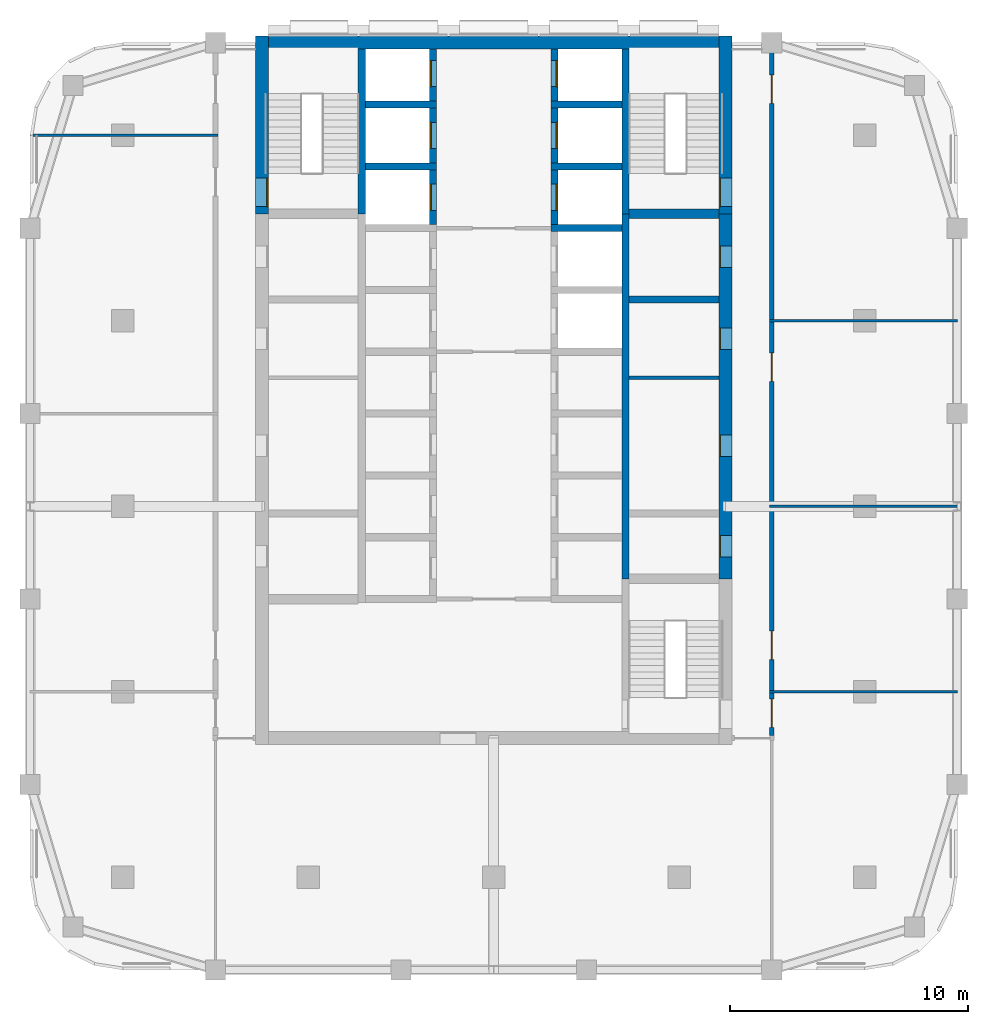
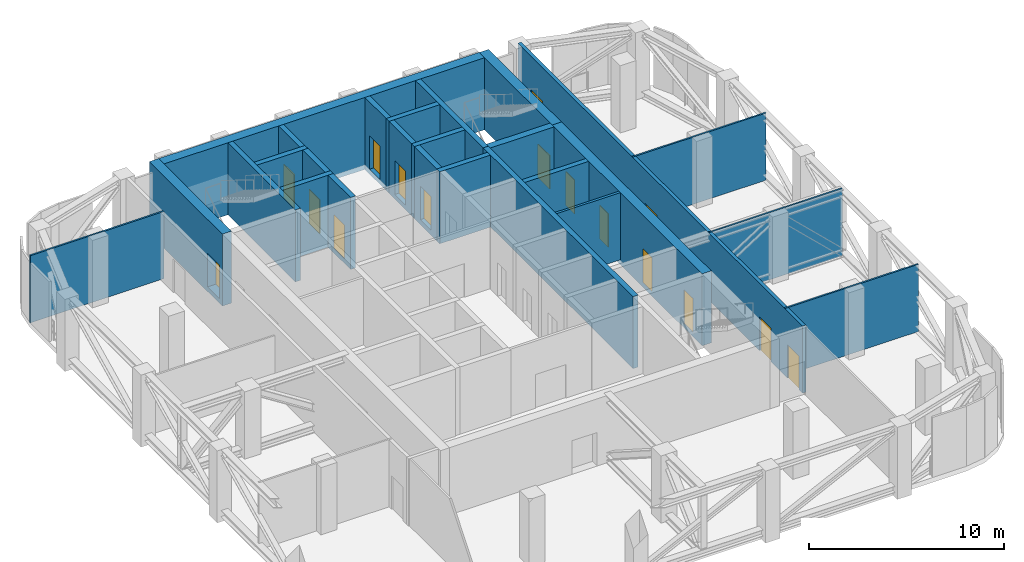
# One storey, part 6 of 11: 26 walls, 16 doors, 16 openings.
"""IFC4 building model written with IfcOpenShell, lengths in metres."""

from ifc_helpers import new_model, si_unit, direction, frame, frame_2d, origin, place, context, subcontext, project, spatial, rectangle, extrude, material, layer, layer_set, type_object, element, fill, save


model = new_model("IFC4")

# Units and contexts
model_context = context("Model", 3, precision=1e-05, world=origin(), true_north=direction((0.0, 1.0)))
body_context = subcontext(model_context, "Body", "Model", "MODEL_VIEW")
ifc_project = project(units=[si_unit("LENGTHUNIT", "METRE"), si_unit("AREAUNIT", "SQUARE_METRE"), si_unit("VOLUMEUNIT", "CUBIC_METRE"), si_unit("PLANEANGLEUNIT", "RADIAN"), si_unit("MASSUNIT", "GRAM", prefix="KILO")], contexts=[model_context])

# Site, building, storey
site_placement = place(None, origin())
site = spatial("IfcSite", under=ifc_project, at=site_placement, CompositionType="ELEMENT")
building_placement = place(site_placement, origin())
building = spatial("IfcBuilding", under=site, at=building_placement, Name="Ludao Terraces", CompositionType="ELEMENT")
storey_placement = place(building_placement, frame((0.0, 0.0, 144.10009765625)))
storey = spatial("IfcBuildingStorey", under=building, at=storey_placement, Name="L39", CompositionType="ELEMENT", Elevation=144.10009765625)

# Wall, opening, door
ifc_material_1 = material(Name="Concrete C60", Category="concrete")
ifc_layer_1 = layer(ifc_material_1, 0.550048828125)
ifc_layer_set_1 = layer_set([ifc_layer_1], Name="Core wall 550 C60")
wall_type_1 = type_object("IfcWallType", Name="Core wall 550 C60", PredefinedType="SOLIDWALL", material=ifc_layer_set_1)
wall_1_placement = place(storey_placement, frame((75.25, 77.300048828125, -0.300048828125), z_axis=(0.0, 0.0, 1.0), x_axis=(0.0, 1.0, 0.0)))
wall_1 = element("IfcWall", 1, at=wall_1_placement, inside=storey, type_object=wall_type_1, Name="Core wall L39 outer-W-S1", PredefinedType="SOLIDWALL", context=body_context, shape_type="SweptSolid", body=[
    extrude(rectangle(XDim=7.474853515625, YDim=0.550048828125, at=frame_2d((3.7373046875, 0.0))), origin(), (0.0, 0.0, 1.0), 4.5),
])
opening_1_placement = place(wall_1_placement, frame((0.300048828125, 0.0, 0.300048828125)))
opening_1 = element("IfcOpeningElement", 2, at=opening_1_placement, cuts=wall_1, Name="Opening L39-036", PredefinedType="OPENING", context=body_context, shape_type="SweptSolid", body=[
    extrude(rectangle(XDim=1.199951171875, YDim=2.10009765625, at=frame_2d((0.60009765625, 1.050048828125))), frame((0.0, 0.28515625, 0.0), z_axis=(0.0, -1.0, 0.0), x_axis=(1.0, 0.0, 0.0)), (0.0, 0.0, 1.0), 0.570068359375),
])
ifc_material_2 = material(Name="Steel Q235", Category="steel")
door_type_1 = type_object("IfcDoorType", Name="INT Stair door 1200", OperationType="DOUBLE_DOOR_SINGLE_SWING", PredefinedType="DOOR", material=ifc_material_2)
door_1_placement = place(opening_1_placement, origin())
door_1 = element("IfcDoor", 3, at=door_1_placement, inside=storey, type_object=door_type_1, Name="DOOR 036", OperationType="DOUBLE_DOOR_SINGLE_SWING", OverallHeight=2.10009765625, OverallWidth=1.199951171875, PredefinedType="DOOR", context=body_context, shape_type="SweptSolid", body=[
    extrude(rectangle(XDim=1.199951171875, YDim=2.10009765625, at=frame_2d((0.60009765625, 1.050048828125))), frame((0.0, -0.2099609375, 0.0), z_axis=(0.0, -1.0, 0.0), x_axis=(1.0, 0.0, 0.0)), (0.0, 0.0, 1.0), 0.050048828125),
])
fill(opening_1, door_1)

# Wall, openings, doors
wall_2_placement = place(storey_placement, frame((94.75, 61.949951171875, -0.300048828125), z_axis=(0.0, 0.0, 1.0), x_axis=(0.0, 1.0, 0.0)))
wall_2 = element("IfcWall", 4, at=wall_2_placement, inside=storey, type_object=wall_type_1, Name="Core wall L39 outer-E", PredefinedType="SOLIDWALL", context=body_context, shape_type="SweptSolid", body=[
    extrude(rectangle(XDim=15.35009765625, YDim=0.550048828125, at=frame_2d((7.675048828125, 0.0))), origin(), (0.0, 0.0, 1.0), 4.5),
])
opening_2_placement = place(wall_2_placement, frame((0.925048828125, 0.0, 0.300048828125)))
opening_2 = element("IfcOpeningElement", 5, at=opening_2_placement, cuts=wall_2, Name="Opening L39-014", PredefinedType="OPENING", context=body_context, shape_type="SweptSolid", body=[
    extrude(rectangle(XDim=0.89990234375, YDim=2.10009765625, at=frame_2d((0.449951171875, 1.050048828125))), frame((0.0, 0.28515625, 0.0), z_axis=(0.0, -1.0, 0.0), x_axis=(1.0, 0.0, 0.0)), (0.0, 0.0, 1.0), 0.570068359375),
])
opening_3_placement = place(wall_2_placement, frame((5.14990234375, 0.0, 0.300048828125)))
opening_3 = element("IfcOpeningElement", 6, at=opening_3_placement, cuts=wall_2, Name="Opening L39-018", PredefinedType="OPENING", context=body_context, shape_type="SweptSolid", body=[
    extrude(rectangle(XDim=0.89990234375, YDim=2.10009765625, at=frame_2d((0.449951171875, 1.050048828125))), frame((0.0, 0.28515625, 0.0), z_axis=(0.0, -1.0, 0.0), x_axis=(1.0, 0.0, 0.0)), (0.0, 0.0, 1.0), 0.570068359375),
])
opening_4_placement = place(wall_2_placement, frame((9.64990234375, 0.0, 0.300048828125)))
opening_4 = element("IfcOpeningElement", 7, at=opening_4_placement, cuts=wall_2, Name="Opening L39-026", PredefinedType="OPENING", context=body_context, shape_type="SweptSolid", body=[
    extrude(rectangle(XDim=0.89990234375, YDim=2.10009765625, at=frame_2d((0.449951171875, 1.050048828125))), frame((0.0, 0.28515625, 0.0), z_axis=(0.0, -1.0, 0.0), x_axis=(1.0, 0.0, 0.0)), (0.0, 0.0, 1.0), 0.570068359375),
])
opening_5_placement = place(wall_2_placement, frame((13.10009765625, 0.0, 0.300048828125)))
opening_5 = element("IfcOpeningElement", 8, at=opening_5_placement, cuts=wall_2, Name="Opening L39-032", PredefinedType="OPENING", context=body_context, shape_type="SweptSolid", body=[
    extrude(rectangle(XDim=0.89990234375, YDim=2.10009765625, at=frame_2d((0.449951171875, 1.050048828125))), frame((0.0, 0.28515625, 0.0), z_axis=(0.0, -1.0, 0.0), x_axis=(1.0, 0.0, 0.0)), (0.0, 0.0, 1.0), 0.570068359375),
])
door_type_2 = type_object("IfcDoorType", Name="INT Riser door 900", OperationType="SINGLE_SWING_LEFT", PredefinedType="DOOR", material=ifc_material_2)
door_2_placement = place(opening_2_placement, origin())
door_2 = element("IfcDoor", 9, at=door_2_placement, inside=storey, type_object=door_type_2, Name="DOOR 014", OperationType="SINGLE_SWING_LEFT", OverallHeight=2.10009765625, OverallWidth=0.89990234375, PredefinedType="DOOR", context=body_context, shape_type="SweptSolid", body=[
    extrude(rectangle(XDim=0.89990234375, YDim=2.10009765625, at=frame_2d((0.449951171875, 1.050048828125))), frame((0.0, 0.26025390625, 0.0), z_axis=(0.0, -1.0, 0.0), x_axis=(1.0, 0.0, 0.0)), (0.0, 0.0, 1.0), 0.050048828125),
])
fill(opening_2, door_2)
door_3_placement = place(opening_5_placement, origin())
door_3 = element("IfcDoor", 10, at=door_3_placement, inside=storey, type_object=door_type_2, Name="DOOR 032", OperationType="SINGLE_SWING_RIGHT", OverallHeight=2.10009765625, OverallWidth=0.89990234375, PredefinedType="DOOR", context=body_context, shape_type="SweptSolid", body=[
    extrude(rectangle(XDim=0.89990234375, YDim=2.10009765625, at=frame_2d((0.449951171875, 1.050048828125))), frame((0.0, 0.26025390625, 0.0), z_axis=(0.0, -1.0, 0.0), x_axis=(1.0, 0.0, 0.0)), (0.0, 0.0, 1.0), 0.050048828125),
])
fill(opening_5, door_3)
ifc_material_3 = material(Name="Timber door leaf", Category="wood")
door_type_3 = type_object("IfcDoorType", Name="INT Room door 900", OperationType="SINGLE_SWING_LEFT", PredefinedType="DOOR", material=ifc_material_3)
door_4_placement = place(opening_3_placement, origin())
door_4 = element("IfcDoor", 11, at=door_4_placement, inside=storey, type_object=door_type_3, Name="DOOR 018", OperationType="SINGLE_SWING_LEFT", OverallHeight=2.10009765625, OverallWidth=0.89990234375, PredefinedType="DOOR", context=body_context, shape_type="SweptSolid", body=[
    extrude(rectangle(XDim=0.89990234375, YDim=2.10009765625, at=frame_2d((0.449951171875, 1.050048828125))), frame((0.0, 0.26025390625, 0.0), z_axis=(0.0, -1.0, 0.0), x_axis=(1.0, 0.0, 0.0)), (0.0, 0.0, 1.0), 0.050048828125),
])
fill(opening_3, door_4)
door_5_placement = place(opening_4_placement, origin())
door_5 = element("IfcDoor", 12, at=door_5_placement, inside=storey, type_object=door_type_3, Name="DOOR 026", OperationType="SINGLE_SWING_RIGHT", OverallHeight=2.10009765625, OverallWidth=0.89990234375, PredefinedType="DOOR", context=body_context, shape_type="SweptSolid", body=[
    extrude(rectangle(XDim=0.89990234375, YDim=2.10009765625, at=frame_2d((0.449951171875, 1.050048828125))), frame((0.0, 0.26025390625, 0.0), z_axis=(0.0, -1.0, 0.0), x_axis=(1.0, 0.0, 0.0)), (0.0, 0.0, 1.0), 0.050048828125),
])
fill(opening_4, door_5)

# Wall, opening, door
wall_3_placement = place(storey_placement, frame((94.75, 77.300048828125, -0.300048828125), z_axis=(0.0, 0.0, 1.0), x_axis=(0.0, 1.0, 0.0)))
wall_3 = element("IfcWall", 13, at=wall_3_placement, inside=storey, type_object=wall_type_1, Name="Core wall L39 outer-E-S2", PredefinedType="SOLIDWALL", context=body_context, shape_type="SweptSolid", body=[
    extrude(rectangle(XDim=7.474853515625, YDim=0.550048828125, at=frame_2d((3.7373046875, 0.0))), origin(), (0.0, 0.0, 1.0), 4.5),
])
opening_6_placement = place(wall_3_placement, frame((0.300048828125, 0.0, 0.300048828125)))
opening_6 = element("IfcOpeningElement", 14, at=opening_6_placement, cuts=wall_3, Name="Opening L39-037", PredefinedType="OPENING", context=body_context, shape_type="SweptSolid", body=[
    extrude(rectangle(XDim=1.199951171875, YDim=2.10009765625, at=frame_2d((0.60009765625, 1.050048828125))), frame((0.0, 0.28515625, 0.0), z_axis=(0.0, -1.0, 0.0), x_axis=(1.0, 0.0, 0.0)), (0.0, 0.0, 1.0), 0.570068359375),
])
door_6_placement = place(opening_6_placement, origin())
door_6 = element("IfcDoor", 15, at=door_6_placement, inside=storey, type_object=door_type_1, Name="DOOR 037", OperationType="DOUBLE_DOOR_SINGLE_SWING", OverallHeight=2.10009765625, OverallWidth=1.199951171875, PredefinedType="DOOR", context=body_context, shape_type="SweptSolid", body=[
    extrude(rectangle(XDim=1.199951171875, YDim=2.10009765625, at=frame_2d((0.60009765625, 1.050048828125))), frame((0.0, 0.26025390625, 0.0), z_axis=(0.0, -1.0, 0.0), x_axis=(1.0, 0.0, 0.0)), (0.0, 0.0, 1.0), 0.050048828125),
])
fill(opening_6, door_6)

# Walls
wall_4_placement = place(storey_placement, frame((75.52490234375, 84.5, -0.300048828125), z_axis=(0.0, 0.0, 1.0), x_axis=(1.0, 0.0, 0.0)))
element("IfcWall", 16, at=wall_4_placement, inside=storey, type_object=wall_type_1, Name="Core wall L39 outer-N", PredefinedType="SOLIDWALL", context=body_context, shape_type="SweptSolid", body=[
    extrude(rectangle(XDim=18.9501953125, YDim=0.550048828125, at=frame_2d((9.47509765625, 0.0))), origin(), (0.0, 0.0, 1.0), 4.5),
])
ifc_material_4 = material(Name="Fire-rated gypsum plasterboard", Category="gypsum")
ifc_layer_2 = layer(ifc_material_4, 0.012451171875, Category="gypsum")
ifc_material_5 = material(Name="Mineral wool")
ifc_layer_3 = layer(ifc_material_5, 0.10009765625, Name="insulation")
ifc_layer_4 = layer(ifc_material_2, 0.02490234375, Name="stud")
ifc_layer_5 = layer(ifc_material_4, 0.012451171875, Category="gypsum")
ifc_layer_set_2 = layer_set([ifc_layer_2, ifc_layer_3, ifc_layer_4, ifc_layer_5], Name="INT Core partition 150")
wall_type_2 = type_object("IfcWallType", Name="INT Core partition 150", PredefinedType="PARTITIONING", material=ifc_layer_set_2)
wall_5_placement = place(storey_placement, frame((90.7001953125, 70.39990234375, 0.0), z_axis=(0.0, 0.0, 1.0), x_axis=(1.0, 0.0, 0.0)))
element("IfcWall", 17, at=wall_5_placement, inside=storey, type_object=wall_type_2, Name="PW-L39-PW008", PredefinedType="PARTITIONING", context=body_context, shape_type="SweptSolid", body=[
    extrude(rectangle(XDim=3.77490234375, YDim=0.14990234375, at=frame_2d((1.887451171875, 0.0))), origin(), (0.0, 0.0, 1.0), 4.199951171875),
])

# Wall, openings, doors
ifc_material_6 = material(Name="Autoclaved aerated concrete block B06 A3.5", Category="concrete")
ifc_layer_6 = layer(ifc_material_6, 0.199951171875)
ifc_layer_set_3 = layer_set([ifc_layer_6], Name="INT Entrance wall 200")
wall_type_3 = type_object("IfcWallType", Name="INT Entrance wall 200", PredefinedType="PARTITIONING", material=ifc_layer_set_3)
wall_6_placement = place(storey_placement, frame((96.699951171875, 55.35009765625, 0.0), z_axis=(0.0, 0.0, 1.0), x_axis=(0.0, 1.0, 0.0)))
wall_6 = element("IfcWall", 18, at=wall_6_placement, inside=storey, type_object=wall_type_3, Name="PW-L39-PW016", PredefinedType="PARTITIONING", context=body_context, shape_type="SweptSolid", body=[
    extrude(rectangle(XDim=29.14990234375, YDim=0.199951171875, at=frame_2d((14.574951171875, 0.0))), origin(), (0.0, 0.0, 1.0), 4.199951171875),
])
opening_7_placement = place(wall_6_placement, frame((0.35009765625, 0.0, 0.0)))
opening_7 = element("IfcOpeningElement", 19, at=opening_7_placement, cuts=wall_6, Name="Opening L39-007", PredefinedType="OPENING", context=body_context, shape_type="SweptSolid", body=[
    extrude(rectangle(XDim=1.199951171875, YDim=2.10009765625, at=frame_2d((0.60009765625, 1.050048828125))), frame((0.0, 0.10986328125, 0.0), z_axis=(0.0, -1.0, 0.0), x_axis=(1.0, 0.0, 0.0)), (0.0, 0.0, 1.0), 0.219970703125),
])
opening_8_placement = place(wall_6_placement, frame((3.199951171875, 0.0, 0.0)))
opening_8 = element("IfcOpeningElement", 20, at=opening_8_placement, cuts=wall_6, Name="Opening L39-009", PredefinedType="OPENING", context=body_context, shape_type="SweptSolid", body=[
    extrude(rectangle(XDim=1.199951171875, YDim=2.10009765625, at=frame_2d((0.60009765625, 1.050048828125))), frame((0.0, 0.10986328125, 0.0), z_axis=(0.0, -1.0, 0.0), x_axis=(1.0, 0.0, 0.0)), (0.0, 0.0, 1.0), 0.219970703125),
])
opening_9_placement = place(wall_6_placement, frame((14.89990234375, 0.0, 0.0)))
opening_9 = element("IfcOpeningElement", 21, at=opening_9_placement, cuts=wall_6, Name="Opening L39-023", PredefinedType="OPENING", context=body_context, shape_type="SweptSolid", body=[
    extrude(rectangle(XDim=1.199951171875, YDim=2.10009765625, at=frame_2d((0.60009765625, 1.050048828125))), frame((0.0, 0.10986328125, 0.0), z_axis=(0.0, -1.0, 0.0), x_axis=(1.0, 0.0, 0.0)), (0.0, 0.0, 1.0), 0.219970703125),
])
opening_10_placement = place(wall_6_placement, frame((26.60009765625, 0.0, 0.0)))
opening_10 = element("IfcOpeningElement", 22, at=opening_10_placement, cuts=wall_6, Name="Opening L39-042", PredefinedType="OPENING", context=body_context, shape_type="SweptSolid", body=[
    extrude(rectangle(XDim=1.199951171875, YDim=2.10009765625, at=frame_2d((0.60009765625, 1.050048828125))), frame((0.0, 0.10986328125, 0.0), z_axis=(0.0, -1.0, 0.0), x_axis=(1.0, 0.0, 0.0)), (0.0, 0.0, 1.0), 0.219970703125),
])
door_type_4 = type_object("IfcDoorType", Name="INT Double door 1200", OperationType="DOUBLE_DOOR_SINGLE_SWING", PredefinedType="DOOR", material=ifc_material_3)
door_7_placement = place(opening_7_placement, origin())
door_7 = element("IfcDoor", 23, at=door_7_placement, inside=storey, type_object=door_type_4, Name="DOOR 007", OperationType="DOUBLE_DOOR_SINGLE_SWING", OverallHeight=2.10009765625, OverallWidth=1.199951171875, PredefinedType="DOOR", context=body_context, shape_type="SweptSolid", body=[
    extrude(rectangle(XDim=1.199951171875, YDim=2.10009765625, at=frame_2d((0.60009765625, 1.050048828125))), frame((0.0, 0.02490234375, 0.0), z_axis=(0.0, -1.0, 0.0), x_axis=(1.0, 0.0, 0.0)), (0.0, 0.0, 1.0), 0.050048828125),
])
fill(opening_7, door_7)
door_8_placement = place(opening_8_placement, origin())
door_8 = element("IfcDoor", 24, at=door_8_placement, inside=storey, type_object=door_type_4, Name="DOOR 009", OperationType="DOUBLE_DOOR_SINGLE_SWING", OverallHeight=2.10009765625, OverallWidth=1.199951171875, PredefinedType="DOOR", context=body_context, shape_type="SweptSolid", body=[
    extrude(rectangle(XDim=1.199951171875, YDim=2.10009765625, at=frame_2d((0.60009765625, 1.050048828125))), frame((0.0, 0.02490234375, 0.0), z_axis=(0.0, -1.0, 0.0), x_axis=(1.0, 0.0, 0.0)), (0.0, 0.0, 1.0), 0.050048828125),
])
fill(opening_8, door_8)
door_9_placement = place(opening_9_placement, origin())
door_9 = element("IfcDoor", 25, at=door_9_placement, inside=storey, type_object=door_type_4, Name="DOOR 023", OperationType="DOUBLE_DOOR_SINGLE_SWING", OverallHeight=2.10009765625, OverallWidth=1.199951171875, PredefinedType="DOOR", context=body_context, shape_type="SweptSolid", body=[
    extrude(rectangle(XDim=1.199951171875, YDim=2.10009765625, at=frame_2d((0.60009765625, 1.050048828125))), frame((0.0, 0.02490234375, 0.0), z_axis=(0.0, -1.0, 0.0), x_axis=(1.0, 0.0, 0.0)), (0.0, 0.0, 1.0), 0.050048828125),
])
fill(opening_9, door_9)
door_10_placement = place(opening_10_placement, origin())
door_10 = element("IfcDoor", 26, at=door_10_placement, inside=storey, type_object=door_type_4, Name="DOOR 042", OperationType="DOUBLE_DOOR_SINGLE_SWING", OverallHeight=2.10009765625, OverallWidth=1.199951171875, PredefinedType="DOOR", context=body_context, shape_type="SweptSolid", body=[
    extrude(rectangle(XDim=1.199951171875, YDim=2.10009765625, at=frame_2d((0.60009765625, 1.050048828125))), frame((0.0, 0.02490234375, 0.0), z_axis=(0.0, -1.0, 0.0), x_axis=(1.0, 0.0, 0.0)), (0.0, 0.0, 1.0), 0.050048828125),
])
fill(opening_10, door_10)

# Walls
ifc_material_7 = material(Name="Gypsum plasterboard", Category="gypsum")
ifc_layer_7 = layer(ifc_material_7, 0.012451171875, Category="gypsum")
ifc_layer_8 = layer(ifc_material_5, 0.06005859375, Name="insulation")
ifc_layer_9 = layer(ifc_material_2, 0.014892578125, Name="stud")
ifc_layer_10 = layer(ifc_material_7, 0.012451171875, Category="gypsum")
ifc_layer_set_4 = layer_set([ifc_layer_7, ifc_layer_8, ifc_layer_9, ifc_layer_10], Name="INT Partition 100")
wall_type_4 = type_object("IfcWallType", Name="INT Partition 100", PredefinedType="PARTITIONING", material=ifc_layer_set_4)
for number, where, z_axis, x_axis, name in (
    (27, (96.60009765625, 57.199951171875, 0.0), (0.0, 0.0, 1.0), (1.0, 0.0, 0.0), "PW-L39-PW003"),
    (28, (96.60009765625, 65.0, 0.0), (0.0, 0.0, 1.0), (1.0, 0.0, 0.0), "PW-L39-PW005"),
    (29, (96.60009765625, 72.800048828125, 0.0), (0.0, 0.0, 1.0), (1.0, 0.0, 0.0), "PW-L39-PW010"),
):
    element("IfcWall", number, at=place(storey_placement, frame(where, z_axis=z_axis, x_axis=x_axis)), inside=storey, type_object=wall_type_4, Name=name, PredefinedType="PARTITIONING", context=body_context, shape_type="SweptSolid", body=[
        extrude(rectangle(XDim=7.89990234375, YDim=0.10009765625, at=frame_2d((3.949951171875, 0.0))), origin(), (0.0, 0.0, 1.0), 4.199951171875),
    ])
wall_7_placement = place(storey_placement, frame((65.5, 80.60009765625, 0.0), z_axis=(0.0, 0.0, 1.0), x_axis=(1.0, 0.0, 0.0)))
element("IfcWall", 30, at=wall_7_placement, inside=storey, type_object=wall_type_4, Name="PW-L39-PW012", PredefinedType="PARTITIONING", context=body_context, shape_type="SweptSolid", body=[
    extrude(rectangle(XDim=7.900146484375, YDim=0.10009765625, at=frame_2d((3.9501953125, 0.0))), origin(), (0.0, 0.0, 1.0), 4.199951171875),
])
ifc_material_8 = material(Name="Concrete C55", Category="concrete")
ifc_layer_11 = layer(ifc_material_8, 0.300048828125)
ifc_layer_set_5 = layer_set([ifc_layer_11], Name="Shaft wall 300 C55")
wall_type_5 = type_object("IfcWallType", Name="Shaft wall 300 C55", PredefinedType="SOLIDWALL", material=ifc_layer_set_5)
wall_8_placement = place(storey_placement, frame((79.449951171875, 77.300048828125, -0.300048828125), z_axis=(0.0, 0.0, 1.0), x_axis=(0.0, 1.0, 0.0)))
element("IfcWall", 31, at=wall_8_placement, inside=storey, type_object=wall_type_5, Name="Core wall L39 back-W-S1", PredefinedType="SOLIDWALL", context=body_context, shape_type="SweptSolid", body=[
    extrude(rectangle(XDim=6.925048828125, YDim=0.300048828125, at=frame_2d((3.46240234375, 0.0))), origin(), (0.0, 0.0, 1.0), 4.5),
])
wall_9_placement = place(storey_placement, frame((90.550048828125, 61.949951171875, -0.300048828125), z_axis=(0.0, 0.0, 1.0), x_axis=(0.0, 1.0, 0.0)))
element("IfcWall", 32, at=wall_9_placement, inside=storey, type_object=wall_type_5, Name="Core wall L39 back-E", PredefinedType="SOLIDWALL", context=body_context, shape_type="SweptSolid", body=[
    extrude(rectangle(XDim=15.35009765625, YDim=0.300048828125, at=frame_2d((7.675048828125, 0.0))), origin(), (0.0, 0.0, 1.0), 4.5),
])
wall_10_placement = place(storey_placement, frame((90.550048828125, 77.300048828125, -0.300048828125), z_axis=(0.0, 0.0, 1.0), x_axis=(0.0, 1.0, 0.0)))
element("IfcWall", 33, at=wall_10_placement, inside=storey, type_object=wall_type_5, Name="Core wall L39 back-E-S2", PredefinedType="SOLIDWALL", context=body_context, shape_type="SweptSolid", body=[
    extrude(rectangle(XDim=6.925048828125, YDim=0.300048828125, at=frame_2d((3.46240234375, 0.0))), origin(), (0.0, 0.0, 1.0), 4.5),
])

# Wall, opening, door
wall_11_placement = place(storey_placement, frame((82.449951171875, 76.85009765625, -0.300048828125), z_axis=(0.0, 0.0, 1.0), x_axis=(0.0, 1.0, 0.0)))
wall_11 = element("IfcWall", 34, at=wall_11_placement, inside=storey, type_object=wall_type_5, Name="Core wall L39 front-W7", PredefinedType="SOLIDWALL", context=body_context, shape_type="SweptSolid", body=[
    extrude(rectangle(XDim=2.2998046875, YDim=0.300048828125, at=frame_2d((1.14990234375, 0.0))), origin(), (0.0, 0.0, 1.0), 4.5),
])
opening_11_placement = place(wall_11_placement, frame((0.60009765625, 0.0, 0.300048828125)))
opening_11 = element("IfcOpeningElement", 35, at=opening_11_placement, cuts=wall_11, Name="Opening LD-FF1", PredefinedType="OPENING", context=body_context, shape_type="SweptSolid", body=[
    extrude(rectangle(XDim=1.10009765625, YDim=2.10009765625, at=frame_2d((0.550048828125, 1.050048828125))), frame((0.0, 0.16015625, 0.0), z_axis=(0.0, -1.0, 0.0), x_axis=(1.0, 0.0, 0.0)), (0.0, 0.0, 1.0), 0.320068359375),
])
ifc_material_9 = material(Name="Stainless steel 304", Category="steel")
door_type_5 = type_object("IfcDoorType", Name="INT Lift landing door 1100", OperationType="SLIDING_TO_LEFT", PredefinedType="DOOR", material=ifc_material_9)
door_11_placement = place(opening_11_placement, origin())
door_11 = element("IfcDoor", 36, at=door_11_placement, inside=storey, type_object=door_type_5, Name="LANDING DOOR FF1 L39", OperationType="SLIDING_TO_LEFT", OverallHeight=2.10009765625, OverallWidth=1.10009765625, PredefinedType="DOOR", context=body_context, shape_type="SweptSolid", body=[
    extrude(rectangle(XDim=1.10009765625, YDim=2.10009765625, at=frame_2d((0.550048828125, 1.050048828125))), frame((0.0, 0.13525390625, 0.0), z_axis=(0.0, -1.0, 0.0), x_axis=(1.0, 0.0, 0.0)), (0.0, 0.0, 1.0), 0.050048828125),
])
fill(opening_11, door_11)

# Wall
wall_12_placement = place(storey_placement, frame((79.60009765625, 79.300048828125, -0.300048828125), z_axis=(0.0, 0.0, 1.0), x_axis=(1.0, 0.0, 0.0)))
element("IfcWall", 37, at=wall_12_placement, inside=storey, type_object=wall_type_5, Name="Core wall L39 div-W8", PredefinedType="SOLIDWALL", context=body_context, shape_type="SweptSolid", body=[
    extrude(rectangle(XDim=3.0, YDim=0.300048828125, at=frame_2d((1.5, 0.0))), origin(), (0.0, 0.0, 1.0), 4.5),
])

# Wall, opening, door
wall_13_placement = place(storey_placement, frame((82.449951171875, 79.449951171875, -0.300048828125), z_axis=(0.0, 0.0, 1.0), x_axis=(0.0, 1.0, 0.0)))
wall_13 = element("IfcWall", 38, at=wall_13_placement, inside=storey, type_object=wall_type_5, Name="Core wall L39 front-W8", PredefinedType="SOLIDWALL", context=body_context, shape_type="SweptSolid", body=[
    extrude(rectangle(XDim=2.300048828125, YDim=0.300048828125, at=frame_2d((1.14990234375, 0.0))), origin(), (0.0, 0.0, 1.0), 4.5),
])
opening_12_placement = place(wall_13_placement, frame((0.60009765625, 0.0, 0.300048828125)))
opening_12 = element("IfcOpeningElement", 39, at=opening_12_placement, cuts=wall_13, Name="Opening LD-FF2", PredefinedType="OPENING", context=body_context, shape_type="SweptSolid", body=[
    extrude(rectangle(XDim=1.10009765625, YDim=2.10009765625, at=frame_2d((0.550048828125, 1.050048828125))), frame((0.0, 0.16015625, 0.0), z_axis=(0.0, -1.0, 0.0), x_axis=(1.0, 0.0, 0.0)), (0.0, 0.0, 1.0), 0.320068359375),
])
door_12_placement = place(opening_12_placement, origin())
door_12 = element("IfcDoor", 40, at=door_12_placement, inside=storey, type_object=door_type_5, Name="LANDING DOOR FF2 L39", OperationType="SLIDING_TO_LEFT", OverallHeight=2.10009765625, OverallWidth=1.10009765625, PredefinedType="DOOR", context=body_context, shape_type="SweptSolid", body=[
    extrude(rectangle(XDim=1.10009765625, YDim=2.10009765625, at=frame_2d((0.550048828125, 1.050048828125))), frame((0.0, 0.13525390625, 0.0), z_axis=(0.0, -1.0, 0.0), x_axis=(1.0, 0.0, 0.0)), (0.0, 0.0, 1.0), 0.050048828125),
])
fill(opening_12, door_12)

# Wall
wall_14_placement = place(storey_placement, frame((79.60009765625, 81.89990234375, -0.300048828125), z_axis=(0.0, 0.0, 1.0), x_axis=(1.0, 0.0, 0.0)))
element("IfcWall", 41, at=wall_14_placement, inside=storey, type_object=wall_type_5, Name="Core wall L39 div-W9", PredefinedType="SOLIDWALL", context=body_context, shape_type="SweptSolid", body=[
    extrude(rectangle(XDim=3.0, YDim=0.300048828125, at=frame_2d((1.5, 0.0))), origin(), (0.0, 0.0, 1.0), 4.5),
])

# Wall, opening, door
wall_15_placement = place(storey_placement, frame((82.449951171875, 82.050048828125, -0.300048828125), z_axis=(0.0, 0.0, 1.0), x_axis=(0.0, 1.0, 0.0)))
wall_15 = element("IfcWall", 42, at=wall_15_placement, inside=storey, type_object=wall_type_5, Name="Core wall L39 front-W9", PredefinedType="SOLIDWALL", context=body_context, shape_type="SweptSolid", body=[
    extrude(rectangle(XDim=2.175048828125, YDim=0.300048828125, at=frame_2d((1.08740234375, 0.0))), origin(), (0.0, 0.0, 1.0), 4.5),
])
opening_13_placement = place(wall_15_placement, frame((0.60009765625, 0.0, 0.300048828125)))
opening_13 = element("IfcOpeningElement", 43, at=opening_13_placement, cuts=wall_15, Name="Opening LD-LB6", PredefinedType="OPENING", context=body_context, shape_type="SweptSolid", body=[
    extrude(rectangle(XDim=1.10009765625, YDim=2.10009765625, at=frame_2d((0.550048828125, 1.050048828125))), frame((0.0, 0.16015625, 0.0), z_axis=(0.0, -1.0, 0.0), x_axis=(1.0, 0.0, 0.0)), (0.0, 0.0, 1.0), 0.320068359375),
])
door_13_placement = place(opening_13_placement, origin())
door_13 = element("IfcDoor", 44, at=door_13_placement, inside=storey, type_object=door_type_5, Name="LANDING DOOR LB6 L39", OperationType="SLIDING_TO_RIGHT", OverallHeight=2.10009765625, OverallWidth=1.10009765625, PredefinedType="DOOR", context=body_context, shape_type="SweptSolid", body=[
    extrude(rectangle(XDim=1.10009765625, YDim=2.10009765625, at=frame_2d((0.550048828125, 1.050048828125))), frame((0.0, 0.13525390625, 0.0), z_axis=(0.0, -1.0, 0.0), x_axis=(1.0, 0.0, 0.0)), (0.0, 0.0, 1.0), 0.050048828125),
])
fill(opening_13, door_13)

# Wall
wall_16_placement = place(storey_placement, frame((87.39990234375, 76.699951171875, -0.300048828125), z_axis=(0.0, 0.0, 1.0), x_axis=(1.0, 0.0, 0.0)))
element("IfcWall", 45, at=wall_16_placement, inside=storey, type_object=wall_type_5, Name="Core wall L39 div-E7", PredefinedType="SOLIDWALL", context=body_context, shape_type="SweptSolid", body=[
    extrude(rectangle(XDim=3.0, YDim=0.300048828125, at=frame_2d((1.5, 0.0))), origin(), (0.0, 0.0, 1.0), 4.5),
])

# Wall, opening, door
wall_17_placement = place(storey_placement, frame((87.550048828125, 76.85009765625, -0.300048828125), z_axis=(0.0, 0.0, 1.0), x_axis=(0.0, 1.0, 0.0)))
wall_17 = element("IfcWall", 46, at=wall_17_placement, inside=storey, type_object=wall_type_5, Name="Core wall L39 front-E7", PredefinedType="SOLIDWALL", context=body_context, shape_type="SweptSolid", body=[
    extrude(rectangle(XDim=2.2998046875, YDim=0.300048828125, at=frame_2d((1.14990234375, 0.0))), origin(), (0.0, 0.0, 1.0), 4.5),
])
opening_14_placement = place(wall_17_placement, frame((0.60009765625, 0.0, 0.300048828125)))
opening_14 = element("IfcOpeningElement", 47, at=opening_14_placement, cuts=wall_17, Name="Opening LD-LB3", PredefinedType="OPENING", context=body_context, shape_type="SweptSolid", body=[
    extrude(rectangle(XDim=1.10009765625, YDim=2.10009765625, at=frame_2d((0.550048828125, 1.050048828125))), frame((0.0, 0.16015625, 0.0), z_axis=(0.0, -1.0, 0.0), x_axis=(1.0, 0.0, 0.0)), (0.0, 0.0, 1.0), 0.320068359375),
])
door_14_placement = place(opening_14_placement, origin())
door_14 = element("IfcDoor", 48, at=door_14_placement, inside=storey, type_object=door_type_5, Name="LANDING DOOR LB3 L39", OperationType="SLIDING_TO_LEFT", OverallHeight=2.10009765625, OverallWidth=1.10009765625, PredefinedType="DOOR", context=body_context, shape_type="SweptSolid", body=[
    extrude(rectangle(XDim=1.10009765625, YDim=2.10009765625, at=frame_2d((0.550048828125, 1.050048828125))), frame((0.0, -0.0849609375, 0.0), z_axis=(0.0, -1.0, 0.0), x_axis=(1.0, 0.0, 0.0)), (0.0, 0.0, 1.0), 0.050048828125),
])
fill(opening_14, door_14)

# Wall
wall_18_placement = place(storey_placement, frame((87.39990234375, 79.300048828125, -0.300048828125), z_axis=(0.0, 0.0, 1.0), x_axis=(1.0, 0.0, 0.0)))
element("IfcWall", 49, at=wall_18_placement, inside=storey, type_object=wall_type_5, Name="Core wall L39 div-E8", PredefinedType="SOLIDWALL", context=body_context, shape_type="SweptSolid", body=[
    extrude(rectangle(XDim=3.0, YDim=0.300048828125, at=frame_2d((1.5, 0.0))), origin(), (0.0, 0.0, 1.0), 4.5),
])

# Wall, opening, door
wall_19_placement = place(storey_placement, frame((87.550048828125, 79.449951171875, -0.300048828125), z_axis=(0.0, 0.0, 1.0), x_axis=(0.0, 1.0, 0.0)))
wall_19 = element("IfcWall", 50, at=wall_19_placement, inside=storey, type_object=wall_type_5, Name="Core wall L39 front-E8", PredefinedType="SOLIDWALL", context=body_context, shape_type="SweptSolid", body=[
    extrude(rectangle(XDim=2.300048828125, YDim=0.300048828125, at=frame_2d((1.14990234375, 0.0))), origin(), (0.0, 0.0, 1.0), 4.5),
])
opening_15_placement = place(wall_19_placement, frame((0.60009765625, 0.0, 0.300048828125)))
opening_15 = element("IfcOpeningElement", 51, at=opening_15_placement, cuts=wall_19, Name="Opening LD-LB4", PredefinedType="OPENING", context=body_context, shape_type="SweptSolid", body=[
    extrude(rectangle(XDim=1.10009765625, YDim=2.10009765625, at=frame_2d((0.550048828125, 1.050048828125))), frame((0.0, 0.16015625, 0.0), z_axis=(0.0, -1.0, 0.0), x_axis=(1.0, 0.0, 0.0)), (0.0, 0.0, 1.0), 0.320068359375),
])
door_15_placement = place(opening_15_placement, origin())
door_15 = element("IfcDoor", 52, at=door_15_placement, inside=storey, type_object=door_type_5, Name="LANDING DOOR LB4 L39", OperationType="SLIDING_TO_RIGHT", OverallHeight=2.10009765625, OverallWidth=1.10009765625, PredefinedType="DOOR", context=body_context, shape_type="SweptSolid", body=[
    extrude(rectangle(XDim=1.10009765625, YDim=2.10009765625, at=frame_2d((0.550048828125, 1.050048828125))), frame((0.0, -0.0849609375, 0.0), z_axis=(0.0, -1.0, 0.0), x_axis=(1.0, 0.0, 0.0)), (0.0, 0.0, 1.0), 0.050048828125),
])
fill(opening_15, door_15)

# Wall
wall_20_placement = place(storey_placement, frame((87.39990234375, 81.89990234375, -0.300048828125), z_axis=(0.0, 0.0, 1.0), x_axis=(1.0, 0.0, 0.0)))
element("IfcWall", 53, at=wall_20_placement, inside=storey, type_object=wall_type_5, Name="Core wall L39 div-E9", PredefinedType="SOLIDWALL", context=body_context, shape_type="SweptSolid", body=[
    extrude(rectangle(XDim=3.0, YDim=0.300048828125, at=frame_2d((1.5, 0.0))), origin(), (0.0, 0.0, 1.0), 4.5),
])

# Wall, opening, door
wall_21_placement = place(storey_placement, frame((87.550048828125, 82.050048828125, -0.300048828125), z_axis=(0.0, 0.0, 1.0), x_axis=(0.0, 1.0, 0.0)))
wall_21 = element("IfcWall", 54, at=wall_21_placement, inside=storey, type_object=wall_type_5, Name="Core wall L39 front-E9", PredefinedType="SOLIDWALL", context=body_context, shape_type="SweptSolid", body=[
    extrude(rectangle(XDim=2.175048828125, YDim=0.300048828125, at=frame_2d((1.08740234375, 0.0))), origin(), (0.0, 0.0, 1.0), 4.5),
])
opening_16_placement = place(wall_21_placement, frame((0.60009765625, 0.0, 0.300048828125)))
opening_16 = element("IfcOpeningElement", 55, at=opening_16_placement, cuts=wall_21, Name="Opening LD-LB5", PredefinedType="OPENING", context=body_context, shape_type="SweptSolid", body=[
    extrude(rectangle(XDim=1.10009765625, YDim=2.10009765625, at=frame_2d((0.550048828125, 1.050048828125))), frame((0.0, 0.16015625, 0.0), z_axis=(0.0, -1.0, 0.0), x_axis=(1.0, 0.0, 0.0)), (0.0, 0.0, 1.0), 0.320068359375),
])
door_16_placement = place(opening_16_placement, origin())
door_16 = element("IfcDoor", 56, at=door_16_placement, inside=storey, type_object=door_type_5, Name="LANDING DOOR LB5 L39", OperationType="SLIDING_TO_RIGHT", OverallHeight=2.10009765625, OverallWidth=1.10009765625, PredefinedType="DOOR", context=body_context, shape_type="SweptSolid", body=[
    extrude(rectangle(XDim=1.10009765625, YDim=2.10009765625, at=frame_2d((0.550048828125, 1.050048828125))), frame((0.0, -0.0849609375, 0.0), z_axis=(0.0, -1.0, 0.0), x_axis=(1.0, 0.0, 0.0)), (0.0, 0.0, 1.0), 0.050048828125),
])
fill(opening_16, door_16)

# Walls
wall_22_placement = place(storey_placement, frame((90.699951171875, 73.699951171875, -0.300048828125), z_axis=(0.0, 0.0, 1.0), x_axis=(1.0, 0.0, 0.0)))
element("IfcWall", 57, at=wall_22_placement, inside=storey, type_object=wall_type_5, Name="Core wall L39 riser-b-E", PredefinedType="SOLIDWALL", context=body_context, shape_type="SweptSolid", body=[
    extrude(rectangle(XDim=3.775146484375, YDim=0.300048828125, at=frame_2d((1.8876953125, 0.0))), origin(), (0.0, 0.0, 1.0), 4.5),
])
ifc_layer_12 = layer(ifc_material_8, 0.39990234375)
ifc_layer_set_6 = layer_set([ifc_layer_12], Name="Shaft wall 400 C55")
wall_type_6 = type_object("IfcWallType", Name="Shaft wall 400 C55", PredefinedType="SOLIDWALL", material=ifc_layer_set_6)
wall_23_placement = place(storey_placement, frame((90.699951171875, 77.300048828125, -0.300048828125), z_axis=(0.0, 0.0, 1.0), x_axis=(1.0, 0.0, 0.0)))
element("IfcWall", 58, at=wall_23_placement, inside=storey, type_object=wall_type_6, Name="Core wall L39 stair-E", PredefinedType="SOLIDWALL", context=body_context, shape_type="SweptSolid", body=[
    extrude(rectangle(XDim=3.775146484375, YDim=0.39990234375, at=frame_2d((1.8876953125, 0.0))), origin(), (0.0, 0.0, 1.0), 4.5),
])

save(model, "model.ifc")
